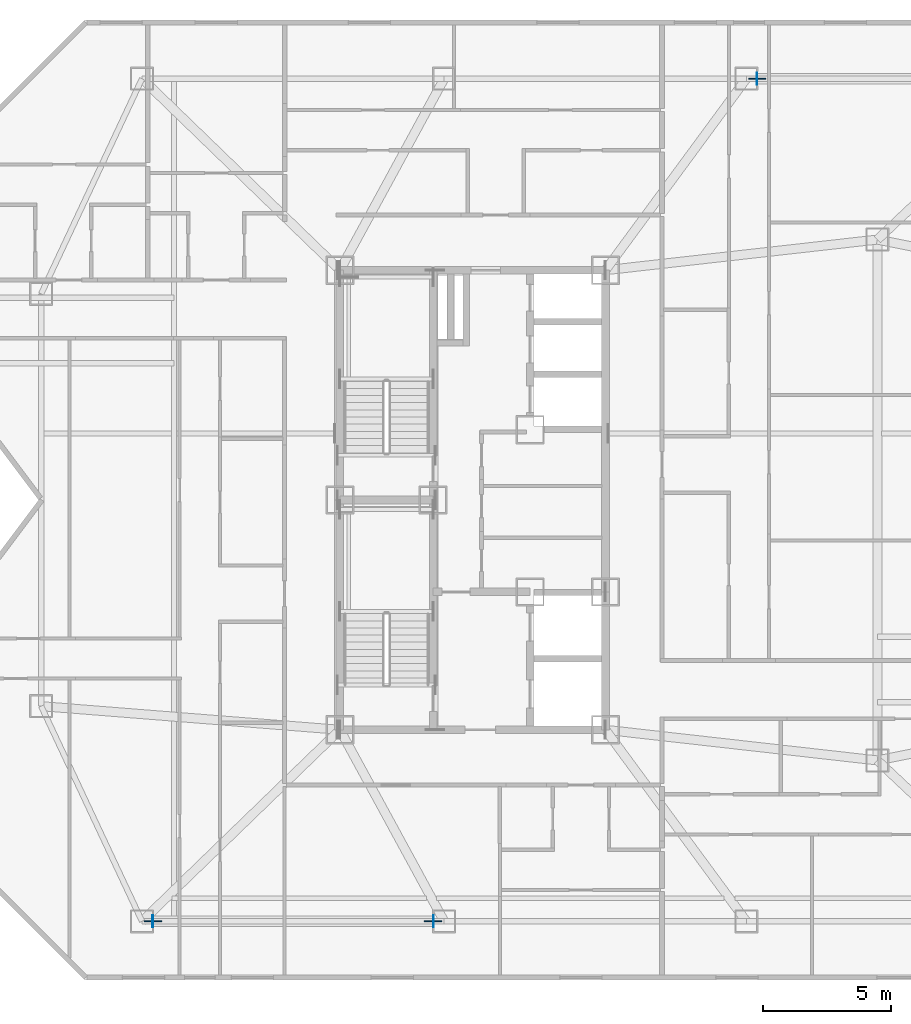
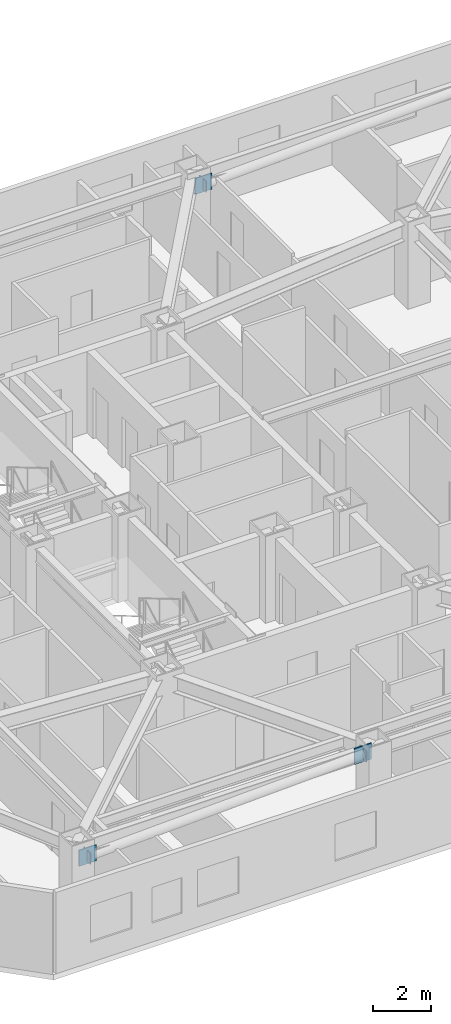
# One storey, part 3 of 12: 6 plates.
"""IFC4 building model written with IfcOpenShell, lengths in metres."""

import ifcopenshell
import ifcopenshell.guid

model = None  # the IFC model being written
_history = None  # IfcOwnerHistory: only IFC2X3 demands one
_inside = {}  # id of a spatial element -> (the spatial element, [elements in it])
_under = {}  # id of a project, library or spatial element -> (it, [spatial elements below it])
_declared = {}  # id of a project -> (the project, [libraries it declares])
_typed = {}  # id of a type object -> (the type object, [elements of that type])
_made_of = {}  # id of a material, layer set ... -> (it, [elements and type objects made of it])


def new_model(schema):
    """Start an empty IFC model of exactly this schema.

    Asked for "IFC4X3", IfcOpenShell would pick the latest addendum, in which some entities
    have other attributes; the version numbers below select the first issue.
    IFC2X3 requires an IfcOwnerHistory on every rooted entity: one is made here for all.
    """
    global model, _history
    if schema == "IFC4X3":
        model = ifcopenshell.file(schema_version=(4, 3, 0, 0))
    else:
        model = ifcopenshell.file(schema=schema)
    _inside.clear()
    _under.clear()
    _declared.clear()
    _typed.clear()
    _made_of.clear()
    _history = None
    if model.schema == "IFC2X3":
        org = make("IfcOrganization", Name="unknown")
        user = make(
            "IfcPersonAndOrganization",
            ThePerson=make("IfcPerson", FamilyName="unknown"),
            TheOrganization=org,
        )
        app = make(
            "IfcApplication",
            ApplicationDeveloper=org,
            Version="unknown",
            ApplicationFullName="unknown",
            ApplicationIdentifier="unknown",
        )
        _history = make(
            "IfcOwnerHistory",
            OwningUser=user,
            OwningApplication=app,
            ChangeAction="ADDED",
            CreationDate=0,
        )
    return model


def make(cls, **values):
    """One entity of the class cls with the attributes given. An attribute that is None is left unset."""
    return model.create_entity(
        cls, **{name: value for name, value in values.items() if value is not None}
    )


def rooted(cls, **values):
    """An entity with a GlobalId (a new one), such as an element, a storey or a relation."""
    return make(cls, GlobalId=ifcopenshell.guid.new(), OwnerHistory=_history, **values)


def si_unit(unit_type, name, prefix=None):
    """IfcSIUnit, for example si_unit("LENGTHUNIT", "METRE", prefix="MILLI")."""
    return make("IfcSIUnit", UnitType=unit_type, Prefix=prefix, Name=name)


def assignment(units):
    """IfcUnitAssignment: the units of a project."""
    return None if units is None else make("IfcUnitAssignment", Units=units)


def point(xyz):
    """IfcCartesianPoint."""
    return None if xyz is None else make("IfcCartesianPoint", Coordinates=xyz)


def direction(xyz):
    """IfcDirection."""
    return None if xyz is None else make("IfcDirection", DirectionRatios=xyz)


def frame(location, z_axis=None, x_axis=None):
    """IfcAxis2Placement3D, a coordinate frame: its origin and axes. An axis left out is left unset."""
    return make(
        "IfcAxis2Placement3D",
        Location=point(location),
        Axis=direction(z_axis),
        RefDirection=direction(x_axis),
    )


def frame_2d(location, x_axis=None):
    """IfcAxis2Placement2D, a coordinate frame in the plane: its origin and x axis."""
    return make(
        "IfcAxis2Placement2D", Location=point(location), RefDirection=direction(x_axis)
    )


def origin():
    """The frame at (0, 0, 0) with its axes left unset."""
    return frame((0.0, 0.0, 0.0))


def origin_2d():
    """The frame at (0, 0) in the plane with its x axis left unset."""
    return frame_2d((0.0, 0.0))


def place(relative_to, where):
    """IfcLocalPlacement: puts the frame where relative to a parent placement (None: the world)."""
    return make(
        "IfcLocalPlacement", PlacementRelTo=relative_to, RelativePlacement=where
    )


def context(
    kind, dimensions, precision=None, world=None, true_north=None, identifier=None
):
    """IfcGeometricRepresentationContext, for example the 3D "Model" context."""
    return make(
        "IfcGeometricRepresentationContext",
        ContextIdentifier=identifier,
        ContextType=kind,
        CoordinateSpaceDimension=dimensions,
        Precision=precision,
        WorldCoordinateSystem=world,
        TrueNorth=true_north,
    )


def subcontext(parent, identifier, kind, view, scale=None):
    """IfcGeometricRepresentationSubContext, for example "Body" below "Model"."""
    return make(
        "IfcGeometricRepresentationSubContext",
        ContextIdentifier=identifier,
        ContextType=kind,
        ParentContext=parent,
        TargetScale=scale,
        TargetView=view,
    )


def project(units=None, contexts=None):
    """IfcProject with its units and contexts."""
    return rooted(
        "IfcProject",
        Name="project",
        RepresentationContexts=contexts,
        UnitsInContext=assignment(units),
    )


def spatial(cls, under=None, at=None, **own):
    """A site, building, storey or space (cls), placed at a placement, below another one or the project."""
    s = rooted(cls, ObjectPlacement=at, **own)
    if under is not None:
        _under.setdefault(under.id(), (under, []))[1].append(s)
    return s


def profile(cls, at=None, kind="AREA", **sizes):
    """A parametric profile (cls). Its sizes go by their IFC names, for example OverallWidth=200.0."""
    return make(cls, ProfileType=kind, Position=at, **sizes)


def rectangle(**sizes):
    """IfcRectangleProfileDef."""
    return profile("IfcRectangleProfileDef", **sizes)


def extrude(swept, where, along, depth):
    """IfcExtrudedAreaSolid: the profile swept, set in the frame where, extruded along a direction by depth."""
    return make(
        "IfcExtrudedAreaSolid",
        SweptArea=swept,
        Position=where,
        ExtrudedDirection=direction(along),
        Depth=depth,
    )


def shape(context_of_items, identifier, shape_type, items):
    """IfcShapeRepresentation: the items that make up one representation, for example the "Body"."""
    return make(
        "IfcShapeRepresentation",
        ContextOfItems=context_of_items,
        RepresentationIdentifier=identifier,
        RepresentationType=shape_type,
        Items=items,
    )


def material(Name=None, Category=None):
    """IfcMaterial."""
    return make("IfcMaterial", Name=Name, Category=Category)


def layer(
    of_material, thickness, ventilated=None, Name=None, Category=None, Priority=None
):
    """IfcMaterialLayer: one layer of a wall or slab, of a material (None: an air gap)."""
    return make(
        "IfcMaterialLayer",
        Material=of_material,
        LayerThickness=thickness,
        IsVentilated=ventilated,
        Name=Name,
        Category=Category,
        Priority=Priority,
    )


def layer_set(layers, Name=None):
    """IfcMaterialLayerSet."""
    return make("IfcMaterialLayerSet", MaterialLayers=layers, LayerSetName=Name)


def made_of(thing, what):
    """Note that an element or type object is made of a material, layer set ...; save() writes the relation."""
    if what is not None:
        _made_of.setdefault(what.id(), (what, []))[1].append(thing)
    return thing


def type_object(cls, material=None, **own):
    """A type object (cls), such as IfcWallType, which elements share."""
    return made_of(rooted(cls, **own), material)


def element(
    cls,
    number,
    at=None,
    inside=None,
    cuts=None,
    type_object=None,
    material=None,
    context=None,
    identifier="Body",
    shape_type=None,
    held_by="IfcProductDefinitionShape",
    body=None,
    shapes=None,
    **own,
):
    """One element of the class cls, such as IfcWall. Its Tag is "e" and its number.

    at: its placement. inside: the storey or other place that contains it. cuts: it is an
    opening in that element (IfcRelVoidsElement). A single representation is given by context,
    identifier, shape_type and body (its items); several are given by shapes. held_by: the class
    of the entity that holds the representations. save() writes the other relations.
    """
    e = rooted(cls, Tag="e%d" % number, ObjectPlacement=at, **own)
    if body is not None:
        shapes = [shape(context, identifier, shape_type, body)]
    if shapes is not None:
        e.Representation = make(held_by, Representations=shapes)
    if inside is not None:
        _inside.setdefault(inside.id(), (inside, []))[1].append(e)
    if cuts is not None:
        rooted(
            "IfcRelVoidsElement", RelatingBuildingElement=cuts, RelatedOpeningElement=e
        )
    if type_object is not None:
        _typed.setdefault(type_object.id(), (type_object, []))[1].append(e)
    return made_of(e, material)


def aggregate(whole, parts):
    """IfcRelAggregates: a whole, such as a stair, and the parts it consists of."""
    return rooted("IfcRelAggregates", RelatingObject=whole, RelatedObjects=parts)


def save(model, path):
    """Write the relations noted so far, then the file.

    IfcRelAggregates (storeys below a building ...), IfcRelContainedInSpatialStructure (elements
    in a storey), IfcRelDefinesByType, IfcRelAssociatesMaterial and IfcRelDeclares: one each for
    every whole, place, type object, material and project.
    """
    for whole, parts in _under.values():
        aggregate(whole, parts)
    for where, things in _inside.values():
        rooted(
            "IfcRelContainedInSpatialStructure",
            RelatedElements=things,
            RelatingStructure=where,
        )
    for kind, things in _typed.values():
        rooted("IfcRelDefinesByType", RelatedObjects=things, RelatingType=kind)
    for what, things in _made_of.values():
        rooted("IfcRelAssociatesMaterial", RelatedObjects=things, RelatingMaterial=what)
    for by, libraries in _declared.values():
        rooted("IfcRelDeclares", RelatingContext=by, RelatedDefinitions=libraries)
    model.write(path)


model = new_model("IFC4")

# Units and contexts
model_context = context("Model", 3, precision=1e-05, world=origin(), true_north=direction((0.0, 1.0)))
body_context = subcontext(model_context, "Body", "Model", "MODEL_VIEW")
ifc_project = project(units=[si_unit("LENGTHUNIT", "METRE"), si_unit("AREAUNIT", "SQUARE_METRE"), si_unit("VOLUMEUNIT", "CUBIC_METRE"), si_unit("PLANEANGLEUNIT", "RADIAN"), si_unit("MASSUNIT", "GRAM", prefix="KILO")], contexts=[model_context])

# Site, building, storey
site_placement = place(None, origin())
site = spatial("IfcSite", under=ifc_project, at=site_placement, CompositionType="ELEMENT")
building_placement = place(site_placement, origin())
building = spatial("IfcBuilding", under=site, at=building_placement, Name="Khamvora Tower", CompositionType="ELEMENT")
storey_placement = place(building_placement, frame((0.0, 0.0, 188.75)))
storey = spatial("IfcBuildingStorey", under=building, at=storey_placement, Name="L48", CompositionType="ELEMENT", Elevation=188.75)

# Plates
ifc_material_1 = material(Name="Steel S355", Category="steel")
ifc_layer_1 = layer(ifc_material_1, 0.02490234375)
ifc_layer_set_1 = layer_set([ifc_layer_1], Name="Steel S355")
plate_type_1 = type_object("IfcPlateType", Name="PL-CAP-25", PredefinedType="SHEET", material=ifc_layer_set_1)
for number, where, z_axis, x_axis, name in (
    (1, (21.66796875, 11.5, 2.4638671875), (0.0, 0.0, 1.0), (1.0, 0.0, 0.0), "L48 hollow section steel end cap plate 0972"),
    (2, (32.6650390625, 11.5, 2.912109375), (0.0, 0.0, 1.0), (1.0, 0.0, 0.0), "L48 hollow section steel end cap plate 0973"),
    (3, (45.3349609375, 44.5, 2.4638671875), (0.0, 0.0, 1.0), (1.0, 0.0, 0.0), "L48 hollow section steel end cap plate 0974"),
):
    element("IfcPlate", number, at=place(storey_placement, frame(where, z_axis=z_axis, x_axis=x_axis)), inside=storey, type_object=plate_type_1, Name=name, PredefinedType="SHEET", context=body_context, shape_type="SweptSolid", body=[
        extrude(rectangle(XDim=0.02490234375, YDim=0.466064453125, at=origin_2d()), origin(), (0.0, 0.0, 1.0), 0.466064453125),
    ])
ifc_material_2 = material(Name="Steel S460", Category="steel")
ifc_layer_2 = layer(ifc_material_2, 0.0400390625)
ifc_layer_set_2 = layer_set([ifc_layer_2], Name="Steel S460")
plate_type_2 = type_object("IfcPlateType", Name="PLT-GUS-40", PredefinedType="SHEET", material=ifc_layer_set_2)
for number, where, z_axis, x_axis, name in (
    (4, (21.679931640625, 11.5, 2.35791015625), (0.0, 0.0, 1.0), (1.0, 0.0, 0.0), "L48 brace connection node gusset plate 0309"),
    (5, (32.653076171875, 11.5, 2.80419921875), (0.0, 0.0, 1.0), (1.0, 0.0, 0.0), "L48 brace connection node gusset plate 0310"),
    (6, (45.346923828125, 44.5, 2.35791015625), (0.0, 0.0, 1.0), (1.0, 0.0, 0.0), "L48 brace connection node gusset plate 0311"),
):
    element("IfcPlate", number, at=place(storey_placement, frame(where, z_axis=z_axis, x_axis=x_axis)), inside=storey, type_object=plate_type_2, Name=name, PredefinedType="SHEET", context=body_context, shape_type="SweptSolid", body=[
        extrude(rectangle(XDim=0.679931640625, YDim=0.0400390625, at=origin_2d()), origin(), (0.0, 0.0, 1.0), 0.679931640625),
    ])

save(model, "model.ifc")
